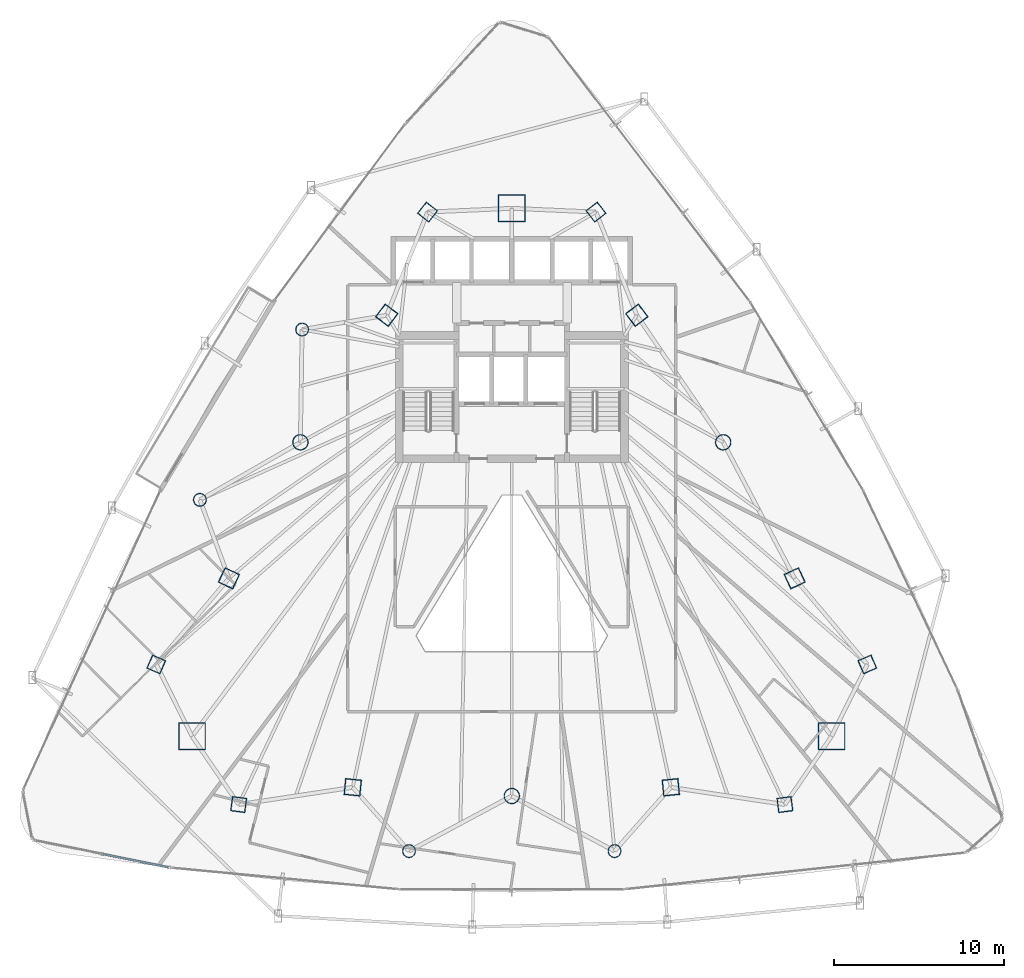
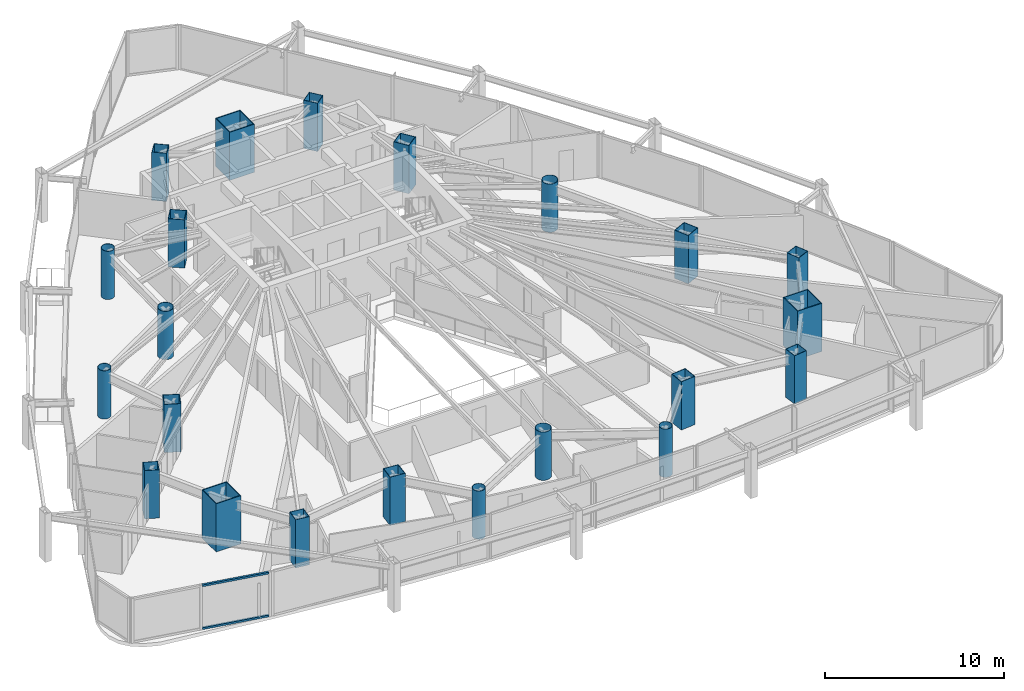
# One storey, part 1 of 35: 22 columns, 2 members, 1 element without a shape of its own.
"""IFC4 building model written with IfcOpenShell, lengths in metres."""

from ifc_helpers import new_model, si_unit, direction, frame, origin, origin_2d, place, context, subcontext, project, spatial, hollow_rectangle, hollow_circle, extrude, material, layer, layer_set, material_profile, profile_set, type_object, element, aggregate, save


model = new_model("IFC4")

# Units and contexts
model_context = context("Model", 3, precision=1e-05, world=origin(), true_north=direction((0.0, 1.0)))
body_context = subcontext(model_context, "Body", "Model", "MODEL_VIEW")
ifc_project = project(units=[si_unit("LENGTHUNIT", "METRE"), si_unit("AREAUNIT", "SQUARE_METRE"), si_unit("VOLUMEUNIT", "CUBIC_METRE"), si_unit("PLANEANGLEUNIT", "RADIAN"), si_unit("MASSUNIT", "GRAM", prefix="KILO")], contexts=[model_context])

# Site, building, storey
site_placement = place(None, origin())
site = spatial("IfcSite", under=ifc_project, at=site_placement, CompositionType="ELEMENT")
building_placement = place(site_placement, origin())
building = spatial("IfcBuilding", under=site, at=building_placement, Name="Orvanel Arch Residences", CompositionType="ELEMENT")
storey_placement = place(building_placement, frame((0.0, 0.0, 36.800048828125)))
storey = spatial("IfcBuildingStorey", under=building, at=storey_placement, Name="L09", CompositionType="ELEMENT", Elevation=36.800048828125)

# Columns
ifc_material_1 = material(Name="Structural steel AS/NZS 1163 C450L0 (Grade 450)", Category="steel")
ifc_material_profile_1 = material_profile(ifc_material_1, hollow_circle(Radius=0.381103515625, WallThickness=0.02197265625, at=origin_2d()), Name="CHS762x22")
ifc_profile_set_1 = profile_set([ifc_material_profile_1], Name="Structural steel AS/NZS 1163 C450L0 (Grade 450)")
column_type_1 = type_object("IfcColumnType", Name="CC-762", PredefinedType="COLUMN", material=ifc_profile_set_1)
for number, where, z_axis, x_axis, name in (
    (1, (20.669921875, 34.27099609375, 0.0), (0.0, 0.0, 1.0), (1.0, 0.0, 0.0), "L09 Low-Rise Buttress Tube Column 01"),
    (2, (14.662109375, 24.256103515625, 0.0), (0.0, 0.0, 1.0), (1.0, 0.0, 0.0), "L09 Low-Rise Buttress Tube Column 02"),
    (3, (26.9580078125, 3.60498046875, 0.0), (0.0, 0.0, 1.0), (1.0, 0.0, 0.0), "L09 Low-Rise Buttress Tube Column 03"),
    (4, (39.0419921875, 3.60498046875, 0.0), (0.0, 0.0, 1.0), (1.0, 0.0, 0.0), "L09 Low-Rise Buttress Tube Column 04"),
):
    element("IfcColumn", number, at=place(storey_placement, frame(where, z_axis=z_axis, x_axis=x_axis)), inside=storey, type_object=column_type_1, Name=name, PredefinedType="COLUMN", context=body_context, shape_type="SweptSolid", body=[
        extrude(hollow_circle(Radius=0.381103515625, WallThickness=0.02197265625, at=origin_2d()), origin(), (0.0, 0.0, 1.0), 3.300048828125),
    ])
ifc_material_profile_2 = material_profile(ifc_material_1, hollow_circle(Radius=0.45703125, WallThickness=0.02490234375, at=origin_2d()), Name="CHS914x25")
ifc_profile_set_2 = profile_set([ifc_material_profile_2], Name="Structural steel AS/NZS 1163 C450L0 (Grade 450)")
column_type_2 = type_object("IfcColumnType", Name="CC-914", PredefinedType="COLUMN", material=ifc_profile_set_2)
for number, where, z_axis, x_axis, name in (
    (5, (20.569091796875, 27.64111328125, 0.0), (0.0, 0.0, 1.0), (1.0, 0.0, 0.0), "L09 High-Rise Tube Column 02"),
    (6, (33.0, 6.843994140625, 0.0), (0.0, 0.0, 1.0), (1.0, 0.0, 0.0), "L09 High-Rise Tube Column 05"),
    (7, (45.430908203125, 27.64111328125, 0.0), (0.0, 0.0, 1.0), (1.0, 0.0, 0.0), "L09 High-Rise Tube Column 08"),
):
    element("IfcColumn", number, at=place(storey_placement, frame(where, z_axis=z_axis, x_axis=x_axis)), inside=storey, type_object=column_type_2, Name=name, PredefinedType="COLUMN", context=body_context, shape_type="SweptSolid", body=[
        extrude(hollow_circle(Radius=0.45703125, WallThickness=0.02490234375, at=origin_2d()), origin(), (0.0, 0.0, 1.0), 3.300048828125),
    ])
ifc_material_2 = material(Name="Structural steel AS/NZS 3678 Grade 450", Category="steel")
ifc_material_profile_3 = material_profile(ifc_material_2, hollow_rectangle(XDim=1.60009765625, YDim=1.60009765625, WallThickness=0.050048828125, at=origin_2d()), Name="BOX1600x1600x50")
ifc_profile_set_3 = profile_set([ifc_material_profile_3], Name="Structural steel AS/NZS 3678 Grade 450")
column_type_3 = type_object("IfcColumnType", Name="MC-1600", PredefinedType="COLUMN", material=ifc_profile_set_3)
for number, where, z_axis, x_axis, name in (
    (8, (33.0, 41.39794921875, 0.0), (0.0, 0.0, 1.0), (1.0, 0.0, 0.0), "L09 Corner Mega-Column 1"),
    (9, (14.198974609375, 10.35107421875, 0.0), (0.0, 0.0, 1.0), (1.0, 0.0, 0.0), "L09 Corner Mega-Column 2"),
    (10, (51.801025390625, 10.35107421875, 0.0), (0.0, 0.0, 1.0), (1.0, 0.0, 0.0), "L09 Corner Mega-Column 3"),
):
    element("IfcColumn", number, at=place(storey_placement, frame(where, z_axis=z_axis, x_axis=x_axis)), inside=storey, type_object=column_type_3, Name=name, PredefinedType="COLUMN", context=body_context, shape_type="SweptSolid", body=[
        extrude(hollow_rectangle(XDim=1.60009765625, YDim=1.60009765625, WallThickness=0.050048828125, at=origin_2d()), origin(), (0.0, 0.0, 1.0), 3.300048828125),
    ])
ifc_material_3 = material(Name="Structural steel AS/NZS 3678 Grade 350", Category="steel")
ifc_material_profile_4 = material_profile(ifc_material_3, hollow_rectangle(XDim=0.85009765625, YDim=0.85009765625, WallThickness=0.028076171875, at=origin_2d()), Name="BOX850x850x28")
ifc_profile_set_4 = profile_set([ifc_material_profile_4], Name="Structural steel AS/NZS 3678 Grade 350")
column_type_4 = type_object("IfcColumnType", Name="TC-850", PredefinedType="COLUMN", material=ifc_profile_set_4)
for number, where, z_axis, x_axis, name in (
    (11, (28.050048828125, 41.177978515625, 0.0), (0.0, 0.0, 1.0), (0.623879596709, 0.781520472419, 0.0), "L09 Mid-Rise Buttress Tube Column 01"),
    (12, (12.094970703125, 14.580078125, 0.0), (0.0, 0.0, 1.0), (0.397147890635, 0.917754625684, 0.0), "L09 Mid-Rise Buttress Tube Column 02"),
    (13, (16.94091796875, 6.339111328125, 0.0), (0.0, 0.0, 1.0), (-0.99189444259, 0.127064608601, 0.0), "L09 Mid-Rise Buttress Tube Column 03"),
    (14, (49.05908203125, 6.339111328125, 0.0), (0.0, 0.0, 1.0), (0.99189444259, 0.127064608601, 0.0), "L09 Mid-Rise Buttress Tube Column 04"),
    (15, (53.905029296875, 14.580078125, 0.0), (0.0, 0.0, 1.0), (-0.397147890635, 0.917754625684, 0.0), "L09 Mid-Rise Buttress Tube Column 05"),
    (16, (37.949951171875, 41.177978515625, 0.0), (0.0, 0.0, 1.0), (-0.623879596709, 0.781520472419, 0.0), "L09 Mid-Rise Buttress Tube Column 06"),
):
    element("IfcColumn", number, at=place(storey_placement, frame(where, z_axis=z_axis, x_axis=x_axis)), inside=storey, type_object=column_type_4, Name=name, PredefinedType="COLUMN", context=body_context, shape_type="SweptSolid", body=[
        extrude(hollow_rectangle(XDim=0.85009765625, YDim=0.85009765625, WallThickness=0.028076171875, at=origin_2d()), origin(), (0.0, 0.0, 1.0), 3.300048828125),
    ])
ifc_material_profile_5 = material_profile(ifc_material_3, hollow_rectangle(XDim=0.949951171875, YDim=0.949951171875, WallThickness=0.031982421875, at=origin_2d()), Name="BOX950x950x32")
ifc_profile_set_5 = profile_set([ifc_material_profile_5], Name="Structural steel AS/NZS 3678 Grade 350")
column_type_5 = type_object("IfcColumnType", Name="TC-950", PredefinedType="COLUMN", material=ifc_profile_set_5)
for number, where, z_axis, x_axis, name in (
    (17, (25.64794921875, 35.113037109375, 0.0), (0.0, 0.0, 1.0), (0.600420225326, 0.799684658487, 0.0), "L09 High-Rise Tube Column 01"),
    (18, (16.366943359375, 19.64208984375, 0.0), (0.0, 0.0, 1.0), (0.422618261741, 0.906307787037, 0.0), "L09 High-Rise Tube Column 03"),
    (19, (23.64892578125, 7.35498046875, 0.0), (0.0, 0.0, 1.0), (-0.994880708829, 0.101056297183, 0.0), "L09 High-Rise Tube Column 04"),
    (20, (42.35107421875, 7.35498046875, 0.0), (0.0, 0.0, 1.0), (0.994880708829, 0.101056297183, 0.0), "L09 High-Rise Tube Column 06"),
    (21, (49.633056640625, 19.64208984375, 0.0), (0.0, 0.0, 1.0), (-0.422618261741, 0.906307787037, 0.0), "L09 High-Rise Tube Column 07"),
    (22, (40.35205078125, 35.113037109375, 0.0), (0.0, 0.0, 1.0), (-0.600420225326, 0.799684658487, 0.0), "L09 High-Rise Tube Column 09"),
):
    element("IfcColumn", number, at=place(storey_placement, frame(where, z_axis=z_axis, x_axis=x_axis)), inside=storey, type_object=column_type_5, Name=name, PredefinedType="COLUMN", context=body_context, shape_type="SweptSolid", body=[
        extrude(hollow_rectangle(XDim=0.949951171875, YDim=0.949951171875, WallThickness=0.031982421875, at=origin_2d()), origin(), (0.0, 0.0, 1.0), 3.300048828125),
    ])

# Curtain wall, members
ifc_material_4 = material(Name="Bronze-anodised aluminium AA6063-T6", Category="aluminium")
ifc_layer = layer(ifc_material_4, 0.18994140625)
ifc_layer_set = layer_set([ifc_layer], Name="Bronze-anodised aluminium AA6063-T6")
curtain_wall_type = type_object("IfcCurtainWallType", Name="CW5-CRN-SYS", PredefinedType="NOTDEFINED", material=ifc_layer_set)
curtain_wall_placement = place(storey_placement, origin())
curtain_wall = element("IfcCurtainWall", 23, at=curtain_wall_placement, inside=storey, type_object=curtain_wall_type, Name="L09 CW5-CRN-SYS Unitised Curtain Wall", PredefinedType="NOTDEFINED")
ifc_material_profile_6 = material_profile(ifc_material_4, hollow_rectangle(XDim=0.1298828125, YDim=0.1298828125, WallThickness=0.00439453125, at=origin_2d()), Name="ALU130x130x4.5")
ifc_profile_set_6 = profile_set([ifc_material_profile_6], Name="Bronze-anodised aluminium AA6063-T6")
member_type = type_object("IfcMemberType", Name="TRN-130x130", PredefinedType="USERDEFINED", material=ifc_profile_set_6)
member_1_placement = place(storey_placement, frame((8.9619140625, 3.427734375, 0.06494140625), z_axis=(0.980161209383, -0.198201926381, 0.0), x_axis=(0.198201926381, 0.980161209383, 0.0)))
member_1 = element("IfcMember", 24, at=member_1_placement, type_object=member_type, Name="CW-S5 transom 2.1", ObjectType="TRANSOM", PredefinedType="USERDEFINED", context=body_context, shape_type="SweptSolid", body=[
    extrude(hollow_rectangle(XDim=0.1298828125, YDim=0.1298828125, WallThickness=0.00439453125, at=origin_2d()), origin(), (0.0, 0.0, 1.0), 3.915771484375),
])
member_2_placement = place(storey_placement, frame((8.9619140625, 3.427734375, 2.994873046875), z_axis=(0.980161209383, -0.198201926381, 0.0), x_axis=(0.198201926381, 0.980161209383, 0.0)))
member_2 = element("IfcMember", 25, at=member_2_placement, type_object=member_type, Name="CW-S5 transom 2.2", ObjectType="TRANSOM", PredefinedType="USERDEFINED", context=body_context, shape_type="SweptSolid", body=[
    extrude(hollow_rectangle(XDim=0.1298828125, YDim=0.1298828125, WallThickness=0.00439453125, at=origin_2d()), origin(), (0.0, 0.0, 1.0), 3.915771484375),
])
aggregate(curtain_wall, [member_1, member_2])

save(model, "model.ifc")
